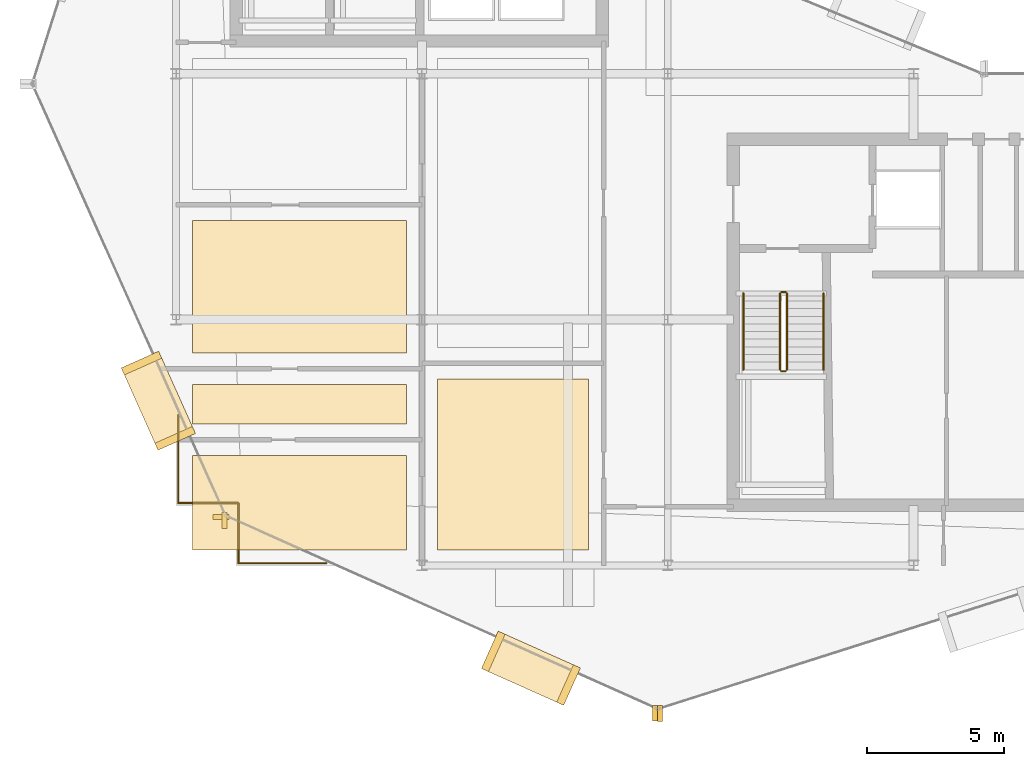
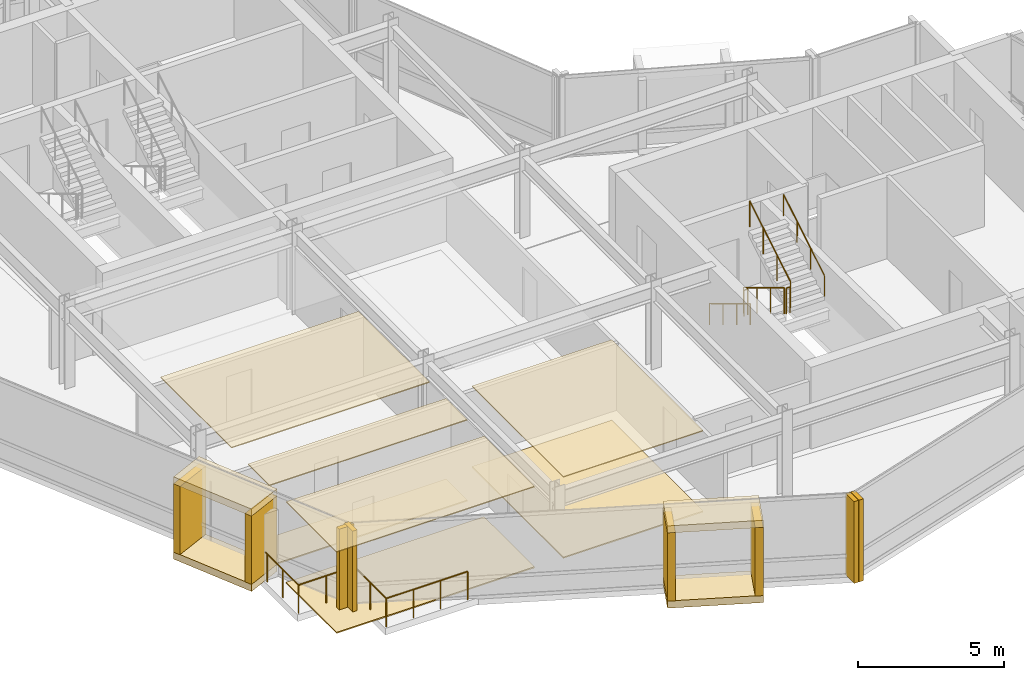
# One storey, part 16 of 19: 19 coverings, 10 railings.
"""IFC4 building model written with IfcOpenShell, lengths in metres."""

from ifc_helpers import new_model, si_unit, direction, frame, origin, origin_2d, place, context, subcontext, project, spatial, polyline, rectangle, circle, outline, extrude, material, layer, layer_set, type_object, element, save


model = new_model("IFC4")

# Units and contexts
model_context = context("Model", 3, precision=1e-05, world=origin(), true_north=direction((0.0, 1.0)))
body_context = subcontext(model_context, "Body", "Model", "MODEL_VIEW")
ifc_project = project(units=[si_unit("LENGTHUNIT", "METRE"), si_unit("AREAUNIT", "SQUARE_METRE"), si_unit("VOLUMEUNIT", "CUBIC_METRE"), si_unit("PLANEANGLEUNIT", "RADIAN"), si_unit("MASSUNIT", "GRAM", prefix="KILO")], contexts=[model_context])

# Site, building, storey
site_placement = place(None, origin())
site = spatial("IfcSite", under=ifc_project, at=site_placement, CompositionType="ELEMENT")
building_placement = place(site_placement, origin())
building = spatial("IfcBuilding", under=site, at=building_placement, Name="Solvaryn Broadcast Tower", CompositionType="ELEMENT")
storey_placement = place(building_placement, frame((0.0, 0.0, 240.800048828125)))
storey = spatial("IfcBuildingStorey", under=building, at=storey_placement, Name="L60", CompositionType="ELEMENT", Elevation=240.800048828125)

# Coverings
ifc_material_1 = material(Name="Micro-Perforated Acoustic Gypsum Ceiling", Category="concrete")
ifc_layer_1 = layer(ifc_material_1, 0.0400390625)
ifc_layer_set_1 = layer_set([ifc_layer_1], Name="CV-CEIL-ACOUSTIC")
covering_type_1 = type_object("IfcCoveringType", Name="CV-CEIL-ACOUSTIC", PredefinedType="CEILING", material=ifc_layer_set_1)
covering_1_placement = place(storey_placement, frame((0.0, 0.0, 3.3798828125)))
element("IfcCovering", 1, at=covering_1_placement, inside=storey, type_object=covering_type_1, Name="L60 Room Acoustic Ceiling 1", PredefinedType="CEILING", context=body_context, shape_type="SweptSolid", body=[
    extrude(outline(polyline([(18.570068359375, 9.570068359375), (24.10009765625, 9.570068359375), (24.10009765625, 15.830078125), (18.570068359375, 15.830078125), (18.570068359375, 9.570068359375)])), origin(), (0.0, 0.0, 1.0), 0.0400390625),
])
covering_2_placement = place(storey_placement, frame((0.0, 0.0, 3.3798828125)))
element("IfcCovering", 2, at=covering_2_placement, inside=storey, type_object=covering_type_1, Name="L60 Room Acoustic Ceiling 3", PredefinedType="CEILING", context=body_context, shape_type="SweptSolid", body=[
    extrude(outline(polyline([(9.60009765625, 9.570068359375), (17.429931640625, 9.570068359375), (17.429931640625, 13.030029296875), (9.60009765625, 13.030029296875), (9.60009765625, 9.570068359375)])), origin(), (0.0, 0.0, 1.0), 0.0400390625),
])
covering_3_placement = place(storey_placement, frame((0.0, 0.0, 3.3798828125)))
element("IfcCovering", 3, at=covering_3_placement, inside=storey, type_object=covering_type_1, Name="L60 Room Acoustic Ceiling 4", PredefinedType="CEILING", context=body_context, shape_type="SweptSolid", body=[
    extrude(outline(polyline([(9.60009765625, 14.169921875), (17.429931640625, 14.169921875), (17.429931640625, 15.6298828125), (9.60009765625, 15.6298828125), (9.60009765625, 14.169921875)])), origin(), (0.0, 0.0, 1.0), 0.0400390625),
])
covering_4_placement = place(storey_placement, frame((0.0, 0.0, 3.3798828125)))
element("IfcCovering", 4, at=covering_4_placement, inside=storey, type_object=covering_type_1, Name="L60 Room Acoustic Ceiling 5", PredefinedType="CEILING", context=body_context, shape_type="SweptSolid", body=[
    extrude(outline(polyline([(9.60009765625, 16.77001953125), (17.429931640625, 16.77001953125), (17.429931640625, 21.6298828125), (9.60009765625, 21.6298828125), (9.60009765625, 16.77001953125)])), origin(), (0.0, 0.0, 1.0), 0.0400390625),
])
ifc_material_2 = material(Name="Newsroom Raised Data Access Flooring", Category="steel")
ifc_layer_2 = layer(ifc_material_2, 0.050048828125)
ifc_layer_set_2 = layer_set([ifc_layer_2], Name="CV-FLOOR-RAISED")
covering_type_2 = type_object("IfcCoveringType", Name="CV-FLOOR-RAISED", PredefinedType="FLOORING", material=ifc_layer_set_2)
covering_5_placement = place(storey_placement, origin())
element("IfcCovering", 5, at=covering_5_placement, inside=storey, type_object=covering_type_2, Name="L60 Room Acoustic Floor Finish 1", PredefinedType="FLOORING", context=body_context, shape_type="SweptSolid", body=[
    extrude(outline(polyline([(18.570068359375, 9.570068359375), (24.10009765625, 9.570068359375), (24.10009765625, 15.830078125), (18.570068359375, 15.830078125), (18.570068359375, 9.570068359375)])), origin(), (0.0, 0.0, 1.0), 0.050048828125),
])
covering_6_placement = place(storey_placement, origin())
element("IfcCovering", 6, at=covering_6_placement, inside=storey, type_object=covering_type_2, Name="L60 Room Acoustic Floor Finish 3", PredefinedType="FLOORING", context=body_context, shape_type="SweptSolid", body=[
    extrude(outline(polyline([(9.60009765625, 9.570068359375), (17.429931640625, 9.570068359375), (17.429931640625, 13.030029296875), (9.60009765625, 13.030029296875), (9.60009765625, 9.570068359375)])), origin(), (0.0, 0.0, 1.0), 0.050048828125),
])
covering_7_placement = place(storey_placement, origin())
element("IfcCovering", 7, at=covering_7_placement, inside=storey, type_object=covering_type_2, Name="L60 Room Acoustic Floor Finish 4", PredefinedType="FLOORING", context=body_context, shape_type="SweptSolid", body=[
    extrude(outline(polyline([(9.60009765625, 14.169921875), (17.429931640625, 14.169921875), (17.429931640625, 15.6298828125), (9.60009765625, 15.6298828125), (9.60009765625, 14.169921875)])), origin(), (0.0, 0.0, 1.0), 0.050048828125),
])
ifc_material_3 = material(Name="Glazed Architectural Terracotta Rainscreen Cladding", Category="masonry")
ifc_layer_3 = layer(ifc_material_3, 0.280029296875)
ifc_layer_set_3 = layer_set([ifc_layer_3], Name="CV-TC-CLAD")
covering_type_3 = type_object("IfcCoveringType", Name="CV-TC-CLAD", PredefinedType="CLADDING", material=ifc_layer_set_3)
for number, where, z_axis, x_axis, name in (
    (8, (8.35107421875, 15.030029296875, 3.1298828125), (0.0, 0.0, 1.0), (0.408489773781, -0.91276289622, 0.0), "L60 Projecting Stone Window Box Hood 2"),
    (9, (8.35107421875, 15.030029296875, -0.01025390625), (0.0, 0.0, 1.0), (0.408489773781, -0.91276289622, 0.0), "L60 Projecting Stone Window Box Sill 2"),
):
    element("IfcCovering", number, at=place(storey_placement, frame(where, z_axis=z_axis, x_axis=x_axis)), inside=storey, type_object=covering_type_3, Name=name, PredefinedType="CLADDING", context=body_context, shape_type="SweptSolid", body=[
        extrude(rectangle(XDim=3.300048828125, YDim=1.5, at=origin_2d()), origin(), (0.0, 0.0, 1.0), 0.300048828125),
    ])
for number, where, z_axis, x_axis, name in (
    (10, (7.734130859375, 16.408203125, 0.27978515625), (0.0, 0.0, 1.0), (0.408489773781, -0.91276289622, 0.0), "L60 Projecting Stone Window Box Cheek 2-1"),
    (11, (8.9677734375, 13.651611328125, 0.27978515625), (0.0, 0.0, 1.0), (0.408489773781, -0.91276289622, 0.0), "L60 Projecting Stone Window Box Cheek 2-2"),
):
    element("IfcCovering", number, at=place(storey_placement, frame(where, z_axis=z_axis, x_axis=x_axis)), inside=storey, type_object=covering_type_3, Name=name, PredefinedType="CLADDING", context=body_context, shape_type="SweptSolid", body=[
        extrude(rectangle(XDim=0.280029296875, YDim=1.5, at=origin_2d()), origin(), (0.0, 0.0, 1.0), 2.860107421875),
    ])
for number, where, z_axis, x_axis, name in (
    (12, (21.989990234375, 5.236083984375, 3.1298828125), (0.0, 0.0, 1.0), (0.91276289622, -0.408489773781, 0.0), "L60 Projecting Stone Window Box Hood 3"),
    (13, (21.989990234375, 5.236083984375, -0.01025390625), (0.0, 0.0, 1.0), (0.91276289622, -0.408489773781, 0.0), "L60 Projecting Stone Window Box Sill 3"),
):
    element("IfcCovering", number, at=place(storey_placement, frame(where, z_axis=z_axis, x_axis=x_axis)), inside=storey, type_object=covering_type_3, Name=name, PredefinedType="CLADDING", context=body_context, shape_type="SweptSolid", body=[
        extrude(rectangle(XDim=3.300048828125, YDim=1.5, at=origin_2d()), origin(), (0.0, 0.0, 1.0), 0.300048828125),
    ])
for number, where, z_axis, x_axis, name in (
    (14, (20.61181640625, 5.852783203125, 0.27978515625), (0.0, 0.0, 1.0), (0.91276289622, -0.408489773781, 0.0), "L60 Projecting Stone Window Box Cheek 3-1"),
    (15, (23.368408203125, 4.619140625, 0.27978515625), (0.0, 0.0, 1.0), (0.91276289622, -0.408489773781, 0.0), "L60 Projecting Stone Window Box Cheek 3-2"),
):
    element("IfcCovering", number, at=place(storey_placement, frame(where, z_axis=z_axis, x_axis=x_axis)), inside=storey, type_object=covering_type_3, Name=name, PredefinedType="CLADDING", context=body_context, shape_type="SweptSolid", body=[
        extrude(rectangle(XDim=0.280029296875, YDim=1.5, at=origin_2d()), origin(), (0.0, 0.0, 1.0), 2.860107421875),
    ])
ifc_material_4 = material(Name="Extruded Architectural Terracotta Fin", Category="masonry")
ifc_layer_4 = layer(ifc_material_4, 0.179931640625)
ifc_layer_set_4 = layer_set([ifc_layer_4], Name="CV-TC-FIN")
covering_type_4 = type_object("IfcCoveringType", Name="CV-TC-FIN", PredefinedType="USERDEFINED", material=ifc_layer_set_4)
covering_8_placement = place(storey_placement, frame((10.640380859375, 10.77099609375, 0.0), z_axis=(0.0, 0.0, 1.0), x_axis=(1.0, 0.0, 0.0)))
element("IfcCovering", 16, at=covering_8_placement, inside=storey, type_object=covering_type_4, Name="L60 Terracotta Vertical Fin FIN-L60-DR2-M01", ObjectType="FIN", PredefinedType="USERDEFINED", context=body_context, shape_type="SweptSolid", body=[
    extrude(rectangle(XDim=0.580078125, YDim=0.179931640625, at=origin_2d()), origin(), (0.0, 0.0, 1.0), 3.419921875),
])
for number, where, z_axis, x_axis, name in (
    (17, (10.77099609375, 10.640380859375, 0.0), (0.0, 0.0, 1.0), (1.0, 0.0, 0.0), "L60 Terracotta Vertical Fin FIN-L60-DR3-M00"),
    (18, (26.53515625, 3.5859375, 0.0), (0.0, 0.0, 1.0), (1.0, 0.0, 0.0), "L60 Terracotta Vertical Fin FIN-L60-DR3-M01"),
    (19, (26.71923828125, 3.575439453125, 0.0), (0.0, 0.0, 1.0), (1.0, 0.0, 0.0), "L60 Terracotta Vertical Fin FIN-L60-DR4-M00"),
):
    element("IfcCovering", number, at=place(storey_placement, frame(where, z_axis=z_axis, x_axis=x_axis)), inside=storey, type_object=covering_type_4, Name=name, ObjectType="FIN", PredefinedType="USERDEFINED", context=body_context, shape_type="SweptSolid", body=[
        extrude(rectangle(XDim=0.179931640625, YDim=0.580078125, at=origin_2d()), origin(), (0.0, 0.0, 1.0), 3.419921875),
    ])

# Railings
ifc_material_5 = material(Name="Stainless Steel and Laminated Glass Guard", Category="steel")
railing_type_1 = type_object("IfcRailingType", Name="RL-SKYG-1200", PredefinedType="BALUSTRADE", material=ifc_material_5)
railing_1_placement = place(storey_placement, frame((9.080078125, 14.5, 0.0)))
element("IfcRailing", 20, at=railing_1_placement, inside=storey, type_object=railing_type_1, Name="L60 Upper SW Corner Balustrade 1", PredefinedType="BALUSTRADE", context=body_context, shape_type="SweptSolid", body=[
    extrude(circle(Radius=0.02392578125, at=origin_2d()), frame((0.0, 0.0, 1.17578125), z_axis=(0.0, -1.0, 0.0), x_axis=(1.0, 0.0, 0.0)), (0.0, 0.0, 1.0), 3.219970703125),
    extrude(circle(Radius=0.02099609375, at=origin_2d()), origin(), (0.0, 0.0, 1.0), 1.15185546875),
    extrude(circle(Radius=0.02099609375, at=origin_2d()), frame((0.0, -1.0732421875, 0.0)), (0.0, 0.0, 1.0), 1.15185546875),
    extrude(circle(Radius=0.02099609375, at=origin_2d()), frame((0.0, -2.146728515625, 0.0)), (0.0, 0.0, 1.0), 1.15185546875),
    extrude(circle(Radius=0.02099609375, at=origin_2d()), frame((0.0, -3.219970703125, 0.0)), (0.0, 0.0, 1.0), 1.15185546875),
])
railing_2_placement = place(storey_placement, frame((9.080078125, 11.280029296875, 0.0)))
element("IfcRailing", 21, at=railing_2_placement, inside=storey, type_object=railing_type_1, Name="L60 Upper SW Corner Balustrade 2", PredefinedType="BALUSTRADE", context=body_context, shape_type="SweptSolid", body=[
    extrude(circle(Radius=0.02392578125, at=origin_2d()), frame((0.0, 0.0, 1.17578125), z_axis=(1.0, 0.0, 0.0), x_axis=(0.0, 1.0, 0.0)), (0.0, 0.0, 1.0), 2.199951171875),
    extrude(circle(Radius=0.02099609375, at=origin_2d()), origin(), (0.0, 0.0, 1.0), 1.15185546875),
    extrude(circle(Radius=0.02099609375, at=origin_2d()), frame((1.10009765625, 0.0, 0.0)), (0.0, 0.0, 1.0), 1.15185546875),
    extrude(circle(Radius=0.02099609375, at=origin_2d()), frame((2.199951171875, 0.0, 0.0)), (0.0, 0.0, 1.0), 1.15185546875),
])
railing_3_placement = place(storey_placement, frame((11.280029296875, 11.280029296875, 0.0)))
element("IfcRailing", 22, at=railing_3_placement, inside=storey, type_object=railing_type_1, Name="L60 Upper SW Corner Balustrade 3", PredefinedType="BALUSTRADE", context=body_context, shape_type="SweptSolid", body=[
    extrude(circle(Radius=0.02392578125, at=origin_2d()), frame((0.0, 0.0, 1.17578125), z_axis=(0.0, -1.0, 0.0), x_axis=(1.0, 0.0, 0.0)), (0.0, 0.0, 1.0), 2.199951171875),
    extrude(circle(Radius=0.02099609375, at=origin_2d()), origin(), (0.0, 0.0, 1.0), 1.15185546875),
    extrude(circle(Radius=0.02099609375, at=origin_2d()), frame((0.0, -1.10009765625, 0.0)), (0.0, 0.0, 1.0), 1.15185546875),
    extrude(circle(Radius=0.02099609375, at=origin_2d()), frame((0.0, -2.199951171875, 0.0)), (0.0, 0.0, 1.0), 1.15185546875),
])
railing_4_placement = place(storey_placement, frame((11.280029296875, 9.080078125, 0.0)))
element("IfcRailing", 23, at=railing_4_placement, inside=storey, type_object=railing_type_1, Name="L60 Upper SW Corner Balustrade 4", PredefinedType="BALUSTRADE", context=body_context, shape_type="SweptSolid", body=[
    extrude(circle(Radius=0.02392578125, at=origin_2d()), frame((0.0, 0.0, 1.17578125), z_axis=(1.0, 0.0, 0.0), x_axis=(0.0, 1.0, 0.0)), (0.0, 0.0, 1.0), 3.219970703125),
    extrude(circle(Radius=0.02099609375, at=origin_2d()), origin(), (0.0, 0.0, 1.0), 1.15185546875),
    extrude(circle(Radius=0.02099609375, at=origin_2d()), frame((1.0732421875, 0.0, 0.0)), (0.0, 0.0, 1.0), 1.15185546875),
    extrude(circle(Radius=0.02099609375, at=origin_2d()), frame((2.146728515625, 0.0, 0.0)), (0.0, 0.0, 1.0), 1.15185546875),
    extrude(circle(Radius=0.02099609375, at=origin_2d()), frame((3.219970703125, 0.0, 0.0)), (0.0, 0.0, 1.0), 1.15185546875),
])
ifc_material_6 = material(Name="Painted Steel Stair Well Guard", Category="steel")
railing_type_2 = type_object("IfcRailingType", Name="RL-STAIR-GUARD", PredefinedType="BALUSTRADE", material=ifc_material_6)
railing_5_placement = place(storey_placement, frame((31.110107421875, 18.9599609375, 0.168212890625)))
element("IfcRailing", 24, at=railing_5_placement, inside=storey, type_object=railing_type_2, Name="L60 ST3 stair guard 1", PredefinedType="BALUSTRADE", context=body_context, shape_type="SweptSolid", body=[
    extrude(circle(Radius=0.02392578125, at=origin_2d()), frame((0.0, 0.0, 1.076171875), z_axis=(0.0, -0.857275202839, 0.514858452973), x_axis=(1.0, 0.0, 0.0)), (0.0, 0.0, 1.0), 3.26611328125),
    extrude(circle(Radius=0.02099609375, at=origin_2d()), origin(), (0.0, 0.0, 1.0), 1.052001953125),
    extrude(circle(Radius=0.02099609375, at=origin_2d()), frame((0.0, -0.933349609375, 0.560546875)), (0.0, 0.0, 1.0), 1.052001953125),
    extrude(circle(Radius=0.02099609375, at=origin_2d()), frame((0.0, -1.86669921875, 1.12109375)), (0.0, 0.0, 1.0), 1.052001953125),
    extrude(circle(Radius=0.02099609375, at=origin_2d()), frame((0.0, -2.800048828125, 1.681640625)), (0.0, 0.0, 1.0), 1.052001953125),
])
railing_6_placement = place(storey_placement, frame((31.159912109375, 16.110107421875, 1.849853515625)))
element("IfcRailing", 25, at=railing_6_placement, inside=storey, type_object=railing_type_2, Name="L60 ST3 stair guard 2", PredefinedType="BALUSTRADE", context=body_context, shape_type="SweptSolid", body=[
    extrude(circle(Radius=0.02392578125, at=origin_2d()), frame((0.0, 0.0, 1.076171875), z_axis=(1.0, 0.0, 0.0), x_axis=(0.0, 1.0, 0.0)), (0.0, 0.0, 1.0), 0.150146484375),
    extrude(circle(Radius=0.02099609375, at=origin_2d()), origin(), (0.0, 0.0, 1.0), 1.052001953125),
    extrude(circle(Radius=0.02099609375, at=origin_2d()), frame((0.150146484375, 0.0, 0.0)), (0.0, 0.0, 1.0), 1.052001953125),
])
railing_7_placement = place(storey_placement, frame((31.360107421875, 16.159912109375, 2.01806640625)))
element("IfcRailing", 26, at=railing_7_placement, inside=storey, type_object=railing_type_2, Name="L60 ST3 stair guard 3", PredefinedType="BALUSTRADE", context=body_context, shape_type="SweptSolid", body=[
    extrude(circle(Radius=0.02392578125, at=origin_2d()), frame((0.0, 0.0, 1.076171875), z_axis=(0.0, 0.857242210791, 0.514913383045), x_axis=(-1.0, 0.0, 0.0)), (0.0, 0.0, 1.0), 3.266357421875),
    extrude(circle(Radius=0.02099609375, at=origin_2d()), origin(), (0.0, 0.0, 1.0), 1.052001953125),
    extrude(circle(Radius=0.02099609375, at=origin_2d()), frame((0.0, 0.933349609375, 0.560546875)), (0.0, 0.0, 1.0), 1.052001953125),
    extrude(circle(Radius=0.02099609375, at=origin_2d()), frame((0.0, 1.86669921875, 1.121337890625)), (0.0, 0.0, 1.0), 1.052001953125),
    extrude(circle(Radius=0.02099609375, at=origin_2d()), frame((0.0, 2.800048828125, 1.681884765625)), (0.0, 0.0, 1.0), 1.052001953125),
])
railing_8_placement = place(storey_placement, frame((31.159912109375, 19.010009765625, 0.0)))
element("IfcRailing", 27, at=railing_8_placement, inside=storey, type_object=railing_type_2, Name="L60 ST3 stair guard 4", PredefinedType="BALUSTRADE", context=body_context, shape_type="SweptSolid", body=[
    extrude(circle(Radius=0.02392578125, at=origin_2d()), frame((0.0, 0.0, 1.076171875), z_axis=(1.0, 0.0, 0.0), x_axis=(0.0, 1.0, 0.0)), (0.0, 0.0, 1.0), 0.150146484375),
    extrude(circle(Radius=0.02099609375, at=origin_2d()), origin(), (0.0, 0.0, 1.0), 1.052001953125),
    extrude(circle(Radius=0.02099609375, at=origin_2d()), frame((0.150146484375, 0.0, 0.0)), (0.0, 0.0, 1.0), 1.052001953125),
])
ifc_material_7 = material(Name="Brushed Stainless Steel Tubular Handrail", Category="steel")
railing_type_3 = type_object("IfcRailingType", Name="RL-STAIR-HANDRAIL", PredefinedType="HANDRAIL", material=ifc_material_7)
railing_9_placement = place(storey_placement, frame((29.77001953125, 18.9599609375, 0.168212890625)))
element("IfcRailing", 28, at=railing_9_placement, inside=storey, type_object=railing_type_3, Name="L60 ST3 stair handrail 1", PredefinedType="HANDRAIL", context=body_context, shape_type="SweptSolid", body=[
    extrude(circle(Radius=0.02392578125, at=origin_2d()), frame((0.0, 0.0, 0.8759765625), z_axis=(0.0, -0.857275202839, 0.514858452973), x_axis=(1.0, 0.0, 0.0)), (0.0, 0.0, 1.0), 3.26611328125),
    extrude(circle(Radius=0.02099609375, at=origin_2d()), origin(), (0.0, 0.0, 1.0), 0.851806640625),
    extrude(circle(Radius=0.02099609375, at=origin_2d()), frame((0.0, -0.933349609375, 0.560546875)), (0.0, 0.0, 1.0), 0.851806640625),
    extrude(circle(Radius=0.02099609375, at=origin_2d()), frame((0.0, -1.86669921875, 1.12109375)), (0.0, 0.0, 1.0), 0.851806640625),
    extrude(circle(Radius=0.02099609375, at=origin_2d()), frame((0.0, -2.800048828125, 1.681640625)), (0.0, 0.0, 1.0), 0.851806640625),
])
railing_10_placement = place(storey_placement, frame((32.699951171875, 16.159912109375, 2.01806640625)))
element("IfcRailing", 29, at=railing_10_placement, inside=storey, type_object=railing_type_3, Name="L60 ST3 stair handrail 2", PredefinedType="HANDRAIL", context=body_context, shape_type="SweptSolid", body=[
    extrude(circle(Radius=0.02392578125, at=origin_2d()), frame((0.0, 0.0, 0.8759765625), z_axis=(0.0, 0.857242210791, 0.514913383045), x_axis=(-1.0, 0.0, 0.0)), (0.0, 0.0, 1.0), 3.266357421875),
    extrude(circle(Radius=0.02099609375, at=origin_2d()), origin(), (0.0, 0.0, 1.0), 0.851806640625),
    extrude(circle(Radius=0.02099609375, at=origin_2d()), frame((0.0, 0.933349609375, 0.560546875)), (0.0, 0.0, 1.0), 0.851806640625),
    extrude(circle(Radius=0.02099609375, at=origin_2d()), frame((0.0, 1.86669921875, 1.121337890625)), (0.0, 0.0, 1.0), 0.851806640625),
    extrude(circle(Radius=0.02099609375, at=origin_2d()), frame((0.0, 2.800048828125, 1.681884765625)), (0.0, 0.0, 1.0), 0.851806640625),
])

save(model, "model.ifc")
